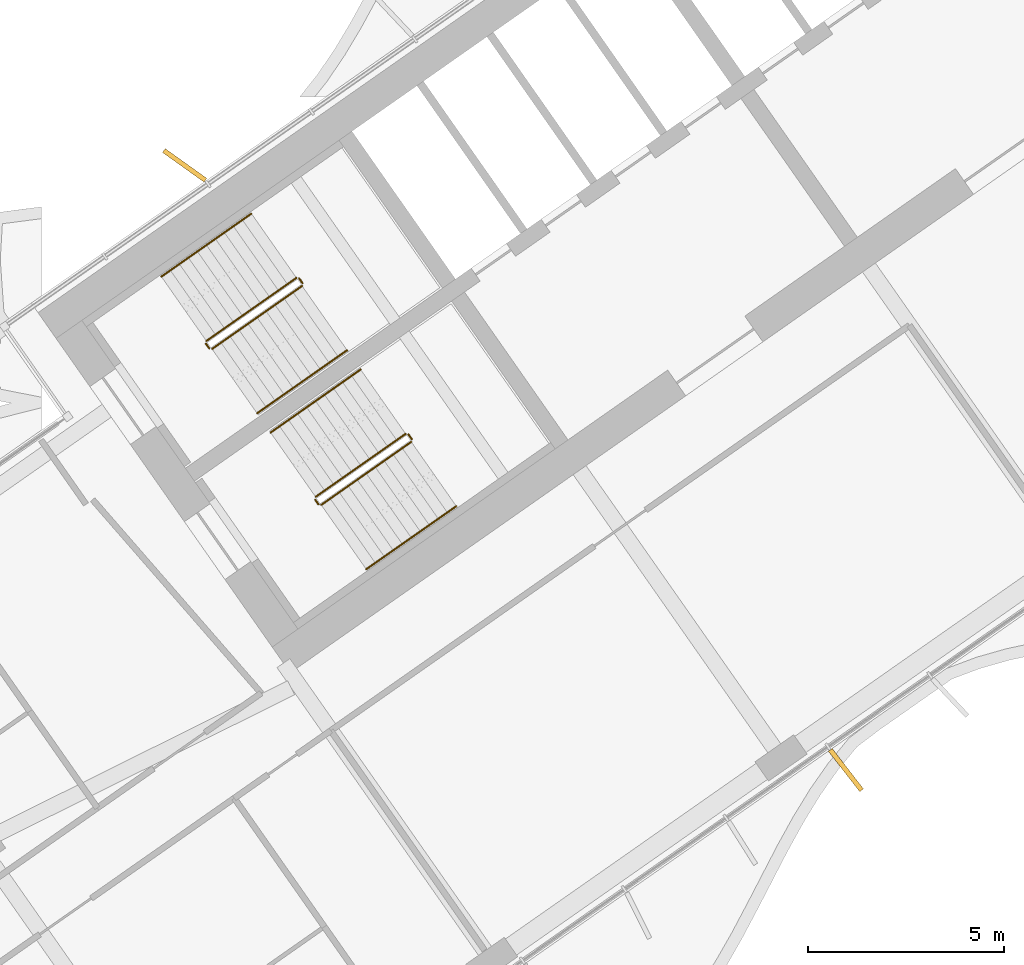
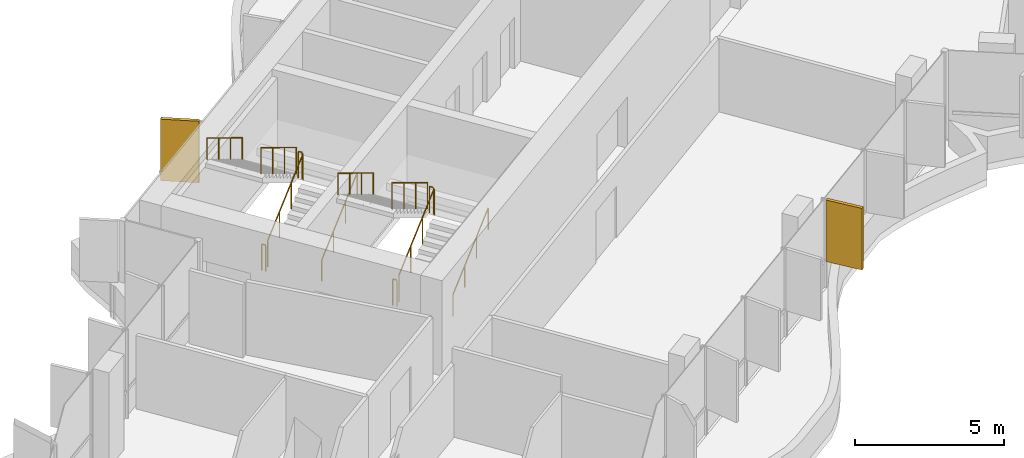
# One storey, part 18 of 22: 12 railings, 2 shading devices.
"""IFC4 building model written with IfcOpenShell, lengths in metres."""

import ifcopenshell
import ifcopenshell.guid

model = None  # the IFC model being written
_history = None  # IfcOwnerHistory: only IFC2X3 demands one
_inside = {}  # id of a spatial element -> (the spatial element, [elements in it])
_under = {}  # id of a project, library or spatial element -> (it, [spatial elements below it])
_declared = {}  # id of a project -> (the project, [libraries it declares])
_typed = {}  # id of a type object -> (the type object, [elements of that type])
_made_of = {}  # id of a material, layer set ... -> (it, [elements and type objects made of it])


def new_model(schema):
    """Start an empty IFC model of exactly this schema.

    Asked for "IFC4X3", IfcOpenShell would pick the latest addendum, in which some entities
    have other attributes; the version numbers below select the first issue.
    IFC2X3 requires an IfcOwnerHistory on every rooted entity: one is made here for all.
    """
    global model, _history
    if schema == "IFC4X3":
        model = ifcopenshell.file(schema_version=(4, 3, 0, 0))
    else:
        model = ifcopenshell.file(schema=schema)
    _inside.clear()
    _under.clear()
    _declared.clear()
    _typed.clear()
    _made_of.clear()
    _history = None
    if model.schema == "IFC2X3":
        org = make("IfcOrganization", Name="unknown")
        user = make(
            "IfcPersonAndOrganization",
            ThePerson=make("IfcPerson", FamilyName="unknown"),
            TheOrganization=org,
        )
        app = make(
            "IfcApplication",
            ApplicationDeveloper=org,
            Version="unknown",
            ApplicationFullName="unknown",
            ApplicationIdentifier="unknown",
        )
        _history = make(
            "IfcOwnerHistory",
            OwningUser=user,
            OwningApplication=app,
            ChangeAction="ADDED",
            CreationDate=0,
        )
    return model


def make(cls, **values):
    """One entity of the class cls with the attributes given. An attribute that is None is left unset."""
    return model.create_entity(
        cls, **{name: value for name, value in values.items() if value is not None}
    )


def rooted(cls, **values):
    """An entity with a GlobalId (a new one), such as an element, a storey or a relation."""
    return make(cls, GlobalId=ifcopenshell.guid.new(), OwnerHistory=_history, **values)


def si_unit(unit_type, name, prefix=None):
    """IfcSIUnit, for example si_unit("LENGTHUNIT", "METRE", prefix="MILLI")."""
    return make("IfcSIUnit", UnitType=unit_type, Prefix=prefix, Name=name)


def assignment(units):
    """IfcUnitAssignment: the units of a project."""
    return None if units is None else make("IfcUnitAssignment", Units=units)


def point(xyz):
    """IfcCartesianPoint."""
    return None if xyz is None else make("IfcCartesianPoint", Coordinates=xyz)


def direction(xyz):
    """IfcDirection."""
    return None if xyz is None else make("IfcDirection", DirectionRatios=xyz)


def frame(location, z_axis=None, x_axis=None):
    """IfcAxis2Placement3D, a coordinate frame: its origin and axes. An axis left out is left unset."""
    return make(
        "IfcAxis2Placement3D",
        Location=point(location),
        Axis=direction(z_axis),
        RefDirection=direction(x_axis),
    )


def frame_2d(location, x_axis=None):
    """IfcAxis2Placement2D, a coordinate frame in the plane: its origin and x axis."""
    return make(
        "IfcAxis2Placement2D", Location=point(location), RefDirection=direction(x_axis)
    )


def origin():
    """The frame at (0, 0, 0) with its axes left unset."""
    return frame((0.0, 0.0, 0.0))


def origin_2d():
    """The frame at (0, 0) in the plane with its x axis left unset."""
    return frame_2d((0.0, 0.0))


def place(relative_to, where):
    """IfcLocalPlacement: puts the frame where relative to a parent placement (None: the world)."""
    return make(
        "IfcLocalPlacement", PlacementRelTo=relative_to, RelativePlacement=where
    )


def context(
    kind, dimensions, precision=None, world=None, true_north=None, identifier=None
):
    """IfcGeometricRepresentationContext, for example the 3D "Model" context."""
    return make(
        "IfcGeometricRepresentationContext",
        ContextIdentifier=identifier,
        ContextType=kind,
        CoordinateSpaceDimension=dimensions,
        Precision=precision,
        WorldCoordinateSystem=world,
        TrueNorth=true_north,
    )


def subcontext(parent, identifier, kind, view, scale=None):
    """IfcGeometricRepresentationSubContext, for example "Body" below "Model"."""
    return make(
        "IfcGeometricRepresentationSubContext",
        ContextIdentifier=identifier,
        ContextType=kind,
        ParentContext=parent,
        TargetScale=scale,
        TargetView=view,
    )


def project(units=None, contexts=None):
    """IfcProject with its units and contexts."""
    return rooted(
        "IfcProject",
        Name="project",
        RepresentationContexts=contexts,
        UnitsInContext=assignment(units),
    )


def spatial(cls, under=None, at=None, **own):
    """A site, building, storey or space (cls), placed at a placement, below another one or the project."""
    s = rooted(cls, ObjectPlacement=at, **own)
    if under is not None:
        _under.setdefault(under.id(), (under, []))[1].append(s)
    return s


def profile(cls, at=None, kind="AREA", **sizes):
    """A parametric profile (cls). Its sizes go by their IFC names, for example OverallWidth=200.0."""
    return make(cls, ProfileType=kind, Position=at, **sizes)


def rectangle(**sizes):
    """IfcRectangleProfileDef."""
    return profile("IfcRectangleProfileDef", **sizes)


def circle(**sizes):
    """IfcCircleProfileDef."""
    return profile("IfcCircleProfileDef", **sizes)


def extrude(swept, where, along, depth):
    """IfcExtrudedAreaSolid: the profile swept, set in the frame where, extruded along a direction by depth."""
    return make(
        "IfcExtrudedAreaSolid",
        SweptArea=swept,
        Position=where,
        ExtrudedDirection=direction(along),
        Depth=depth,
    )


def shape(context_of_items, identifier, shape_type, items):
    """IfcShapeRepresentation: the items that make up one representation, for example the "Body"."""
    return make(
        "IfcShapeRepresentation",
        ContextOfItems=context_of_items,
        RepresentationIdentifier=identifier,
        RepresentationType=shape_type,
        Items=items,
    )


def material(Name=None, Category=None):
    """IfcMaterial."""
    return make("IfcMaterial", Name=Name, Category=Category)


def layer(
    of_material, thickness, ventilated=None, Name=None, Category=None, Priority=None
):
    """IfcMaterialLayer: one layer of a wall or slab, of a material (None: an air gap)."""
    return make(
        "IfcMaterialLayer",
        Material=of_material,
        LayerThickness=thickness,
        IsVentilated=ventilated,
        Name=Name,
        Category=Category,
        Priority=Priority,
    )


def layer_set(layers, Name=None):
    """IfcMaterialLayerSet."""
    return make("IfcMaterialLayerSet", MaterialLayers=layers, LayerSetName=Name)


def made_of(thing, what):
    """Note that an element or type object is made of a material, layer set ...; save() writes the relation."""
    if what is not None:
        _made_of.setdefault(what.id(), (what, []))[1].append(thing)
    return thing


def type_object(cls, material=None, **own):
    """A type object (cls), such as IfcWallType, which elements share."""
    return made_of(rooted(cls, **own), material)


def element(
    cls,
    number,
    at=None,
    inside=None,
    cuts=None,
    type_object=None,
    material=None,
    context=None,
    identifier="Body",
    shape_type=None,
    held_by="IfcProductDefinitionShape",
    body=None,
    shapes=None,
    **own,
):
    """One element of the class cls, such as IfcWall. Its Tag is "e" and its number.

    at: its placement. inside: the storey or other place that contains it. cuts: it is an
    opening in that element (IfcRelVoidsElement). A single representation is given by context,
    identifier, shape_type and body (its items); several are given by shapes. held_by: the class
    of the entity that holds the representations. save() writes the other relations.
    """
    e = rooted(cls, Tag="e%d" % number, ObjectPlacement=at, **own)
    if body is not None:
        shapes = [shape(context, identifier, shape_type, body)]
    if shapes is not None:
        e.Representation = make(held_by, Representations=shapes)
    if inside is not None:
        _inside.setdefault(inside.id(), (inside, []))[1].append(e)
    if cuts is not None:
        rooted(
            "IfcRelVoidsElement", RelatingBuildingElement=cuts, RelatedOpeningElement=e
        )
    if type_object is not None:
        _typed.setdefault(type_object.id(), (type_object, []))[1].append(e)
    return made_of(e, material)


def aggregate(whole, parts):
    """IfcRelAggregates: a whole, such as a stair, and the parts it consists of."""
    return rooted("IfcRelAggregates", RelatingObject=whole, RelatedObjects=parts)


def save(model, path):
    """Write the relations noted so far, then the file.

    IfcRelAggregates (storeys below a building ...), IfcRelContainedInSpatialStructure (elements
    in a storey), IfcRelDefinesByType, IfcRelAssociatesMaterial and IfcRelDeclares: one each for
    every whole, place, type object, material and project.
    """
    for whole, parts in _under.values():
        aggregate(whole, parts)
    for where, things in _inside.values():
        rooted(
            "IfcRelContainedInSpatialStructure",
            RelatedElements=things,
            RelatingStructure=where,
        )
    for kind, things in _typed.values():
        rooted("IfcRelDefinesByType", RelatedObjects=things, RelatingType=kind)
    for what, things in _made_of.values():
        rooted("IfcRelAssociatesMaterial", RelatedObjects=things, RelatingMaterial=what)
    for by, libraries in _declared.values():
        rooted("IfcRelDeclares", RelatingContext=by, RelatedDefinitions=libraries)
    model.write(path)


model = new_model("IFC4")

# Units and contexts
model_context = context("Model", 3, precision=1e-05, world=origin(), true_north=direction((0.0, 1.0)))
body_context = subcontext(model_context, "Body", "Model", "MODEL_VIEW")
ifc_project = project(units=[si_unit("LENGTHUNIT", "METRE"), si_unit("AREAUNIT", "SQUARE_METRE"), si_unit("VOLUMEUNIT", "CUBIC_METRE"), si_unit("PLANEANGLEUNIT", "RADIAN"), si_unit("MASSUNIT", "GRAM", prefix="KILO")], contexts=[model_context])

# Site, building, storey
site_placement = place(None, origin())
site = spatial("IfcSite", under=ifc_project, at=site_placement, CompositionType="ELEMENT")
building_placement = place(site_placement, origin())
building = spatial("IfcBuilding", under=site, at=building_placement, Name="Tel Ilan Convention Tower", CompositionType="ELEMENT")
storey_placement = place(building_placement, frame((0.0, 0.0, 135.89990234375)))
storey = spatial("IfcBuildingStorey", under=building, at=storey_placement, Name="L30", CompositionType="ELEMENT", Elevation=135.89990234375)

# Shading devices
ifc_material_1 = material(Name="Aluminium, bronze anodised", Category="aluminium")
ifc_layer = layer(ifc_material_1, 0.1201171875)
ifc_layer_set = layer_set([ifc_layer], Name="FIN BRONZE 1300x120")
shading_device_type = type_object("IfcShadingDeviceType", Name="FIN BRONZE 1300x120", PredefinedType="USERDEFINED", material=ifc_layer_set)
for number, where, z_axis, x_axis, name in (
    (1, (-24.233642578125, -3.37841796875, 1.10009765625), (0.0, 0.0, 1.0), (-0.813552070258, 0.581492071294, 0.0), "FIN"),
    (2, (-7.385498046875, -18.78515625, 1.10009765625), (0.0, 0.0, 1.0), (0.612600545196, -0.790392669516, 0.0), "FIN"),
):
    element("IfcShadingDevice", number, at=place(storey_placement, frame(where, z_axis=z_axis, x_axis=x_axis)), inside=storey, type_object=shading_device_type, Name=name, ObjectType="FIN", PredefinedType="USERDEFINED", context=body_context, shape_type="SweptSolid", body=[
        extrude(rectangle(XDim=1.300048828125, YDim=0.1201171875, at=origin_2d()), origin(), (0.0, 0.0, 1.0), 2.52001953125),
    ])

# Railings
ifc_material_2 = material(Name="Stainless Steel Grade 316", Category="steel")
railing_type_1 = type_object("IfcRailingType", Name="Stainless Steel Stair Guard 1100 mm", PredefinedType="GUARDRAIL", material=ifc_material_2)
railing_1_placement = place(storey_placement, frame((-23.535400390625, -8.056396484375, 0.177490234375)))
element("IfcRailing", 3, at=railing_1_placement, inside=storey, type_object=railing_type_1, Name="L30 S1 stair guard 1", PredefinedType="GUARDRAIL", context=body_context, shape_type="SweptSolid", body=[
    extrude(circle(Radius=0.02392578125, at=origin_2d()), frame((0.0, 0.0, 1.076171875), z_axis=(0.692098378994, 0.484653031975, 0.534893701956), x_axis=(-0.573608623498, 0.819129505664, 0.0)), (0.0, 0.0, 1.0), 3.314208984375),
    extrude(circle(Radius=0.02099609375, at=origin_2d()), origin(), (0.0, 0.0, 1.0), 1.052001953125),
    extrude(circle(Radius=0.02099609375, at=origin_2d()), frame((0.7646484375, 0.535400390625, 0.5908203125)), (0.0, 0.0, 1.0), 1.052001953125),
    extrude(circle(Radius=0.02099609375, at=origin_2d()), frame((1.529052734375, 1.07080078125, 1.181884765625)), (0.0, 0.0, 1.0), 1.052001953125),
    extrude(circle(Radius=0.02099609375, at=origin_2d()), frame((2.293701171875, 1.606201171875, 1.772705078125)), (0.0, 0.0, 1.0), 1.052001953125),
])
railing_2_placement = place(storey_placement, frame((-21.2294921875, -6.380615234375, 1.9501953125)))
element("IfcRailing", 4, at=railing_2_placement, inside=storey, type_object=railing_type_1, Name="L30 S1 stair guard 2", PredefinedType="GUARDRAIL", context=body_context, shape_type="SweptSolid", body=[
    extrude(circle(Radius=0.02392578125, at=origin_2d()), frame((0.0, 0.0, 1.076171875), z_axis=(-0.573353020881, 0.819308436089, 0.0), x_axis=(-0.819308436089, -0.573353020881, 0.0)), (0.0, 0.0, 1.0), 0.14990234375),
    extrude(circle(Radius=0.02099609375, at=origin_2d()), origin(), (0.0, 0.0, 1.0), 1.052001953125),
    extrude(circle(Radius=0.02099609375, at=origin_2d()), frame((-0.0859375, 0.122802734375, 0.0)), (0.0, 0.0, 1.0), 1.052001953125),
])
railing_3_placement = place(storey_placement, frame((-21.38525390625, -6.24560546875, 2.12744140625)))
element("IfcRailing", 5, at=railing_3_placement, inside=storey, type_object=railing_type_1, Name="L30 S1 stair guard 3", PredefinedType="GUARDRAIL", context=body_context, shape_type="SweptSolid", body=[
    extrude(circle(Radius=0.02392578125, at=origin_2d()), frame((0.0, 0.0, 1.076171875), z_axis=(-0.692084706163, -0.484621375041, 0.534940073605), x_axis=(0.573591086599, -0.819141785879, 0.0)), (0.0, 0.0, 1.0), 3.313720703125),
    extrude(circle(Radius=0.02099609375, at=origin_2d()), origin(), (0.0, 0.0, 1.0), 1.052001953125),
    extrude(circle(Radius=0.02099609375, at=origin_2d()), frame((-0.764404296875, -0.535400390625, 0.5908203125)), (0.0, 0.0, 1.0), 1.052001953125),
    extrude(circle(Radius=0.02099609375, at=origin_2d()), frame((-1.529052734375, -1.070556640625, 1.181884765625)), (0.0, 0.0, 1.0), 1.052001953125),
    extrude(circle(Radius=0.02099609375, at=origin_2d()), frame((-2.29345703125, -1.60595703125, 1.772705078125)), (0.0, 0.0, 1.0), 1.052001953125),
])
railing_4_placement = place(storey_placement, frame((-23.60498046875, -8.0439453125, 0.0)))
element("IfcRailing", 6, at=railing_4_placement, inside=storey, type_object=railing_type_1, Name="L30 S1 stair guard 4", PredefinedType="GUARDRAIL", context=body_context, shape_type="SweptSolid", body=[
    extrude(circle(Radius=0.02392578125, at=origin_2d()), frame((0.0, 0.0, 1.076171875), z_axis=(-0.574444878118, 0.818543268254, 0.0), x_axis=(-0.818543268254, -0.574444878118, 0.0)), (0.0, 0.0, 1.0), 0.150146484375),
    extrude(circle(Radius=0.02099609375, at=origin_2d()), origin(), (0.0, 0.0, 1.0), 1.052001953125),
    extrude(circle(Radius=0.02099609375, at=origin_2d()), frame((-0.086181640625, 0.122802734375, 0.0)), (0.0, 0.0, 1.0), 1.052001953125),
])
railing_5_placement = place(storey_placement, frame((-20.753662109375, -12.029296875, 0.177490234375)))
element("IfcRailing", 7, at=railing_5_placement, inside=storey, type_object=railing_type_1, Name="L30 S2 stair guard 1", PredefinedType="GUARDRAIL", context=body_context, shape_type="SweptSolid", body=[
    extrude(circle(Radius=0.02392578125, at=origin_2d()), frame((0.0, 0.0, 1.076171875), z_axis=(0.692098378994, 0.484653031975, 0.534893701956), x_axis=(-0.573608623498, 0.819129505664, 0.0)), (0.0, 0.0, 1.0), 3.314208984375),
    extrude(circle(Radius=0.02099609375, at=origin_2d()), origin(), (0.0, 0.0, 1.0), 1.052001953125),
    extrude(circle(Radius=0.02099609375, at=origin_2d()), frame((0.7646484375, 0.535400390625, 0.5908203125)), (0.0, 0.0, 1.0), 1.052001953125),
    extrude(circle(Radius=0.02099609375, at=origin_2d()), frame((1.529052734375, 1.07080078125, 1.181884765625)), (0.0, 0.0, 1.0), 1.052001953125),
    extrude(circle(Radius=0.02099609375, at=origin_2d()), frame((2.293701171875, 1.606201171875, 1.772705078125)), (0.0, 0.0, 1.0), 1.052001953125),
])
railing_6_placement = place(storey_placement, frame((-18.44775390625, -10.353515625, 1.9501953125)))
element("IfcRailing", 8, at=railing_6_placement, inside=storey, type_object=railing_type_1, Name="L30 S2 stair guard 2", PredefinedType="GUARDRAIL", context=body_context, shape_type="SweptSolid", body=[
    extrude(circle(Radius=0.02392578125, at=origin_2d()), frame((0.0, 0.0, 1.076171875), z_axis=(-0.573353020881, 0.819308436089, 0.0), x_axis=(-0.819308436089, -0.573353020881, 0.0)), (0.0, 0.0, 1.0), 0.14990234375),
    extrude(circle(Radius=0.02099609375, at=origin_2d()), origin(), (0.0, 0.0, 1.0), 1.052001953125),
    extrude(circle(Radius=0.02099609375, at=origin_2d()), frame((-0.0859375, 0.122802734375, 0.0)), (0.0, 0.0, 1.0), 1.052001953125),
])
railing_7_placement = place(storey_placement, frame((-18.603271484375, -10.218505859375, 2.12744140625)))
element("IfcRailing", 9, at=railing_7_placement, inside=storey, type_object=railing_type_1, Name="L30 S2 stair guard 3", PredefinedType="GUARDRAIL", context=body_context, shape_type="SweptSolid", body=[
    extrude(circle(Radius=0.02392578125, at=origin_2d()), frame((0.0, 0.0, 1.076171875), z_axis=(-0.692123088272, -0.484596665743, 0.534912798717), x_axis=(0.573550118428, -0.819170471667, 0.0)), (0.0, 0.0, 1.0), 3.31396484375),
    extrude(circle(Radius=0.02099609375, at=origin_2d()), origin(), (0.0, 0.0, 1.0), 1.052001953125),
    extrude(circle(Radius=0.02099609375, at=origin_2d()), frame((-0.7646484375, -0.535400390625, 0.5908203125)), (0.0, 0.0, 1.0), 1.052001953125),
    extrude(circle(Radius=0.02099609375, at=origin_2d()), frame((-1.529052734375, -1.070556640625, 1.181884765625)), (0.0, 0.0, 1.0), 1.052001953125),
    extrude(circle(Radius=0.02099609375, at=origin_2d()), frame((-2.293701171875, -1.60595703125, 1.772705078125)), (0.0, 0.0, 1.0), 1.052001953125),
])
railing_8_placement = place(storey_placement, frame((-20.8232421875, -12.016845703125, 0.0)))
element("IfcRailing", 10, at=railing_8_placement, inside=storey, type_object=railing_type_1, Name="L30 S2 stair guard 4", PredefinedType="GUARDRAIL", context=body_context, shape_type="SweptSolid", body=[
    extrude(circle(Radius=0.02392578125, at=origin_2d()), frame((0.0, 0.0, 1.076171875), z_axis=(-0.573353020881, 0.819308436089, 0.0), x_axis=(-0.819308436089, -0.573353020881, 0.0)), (0.0, 0.0, 1.0), 0.14990234375),
    extrude(circle(Radius=0.02099609375, at=origin_2d()), origin(), (0.0, 0.0, 1.0), 1.052001953125),
    extrude(circle(Radius=0.02099609375, at=origin_2d()), frame((-0.0859375, 0.122802734375, 0.0)), (0.0, 0.0, 1.0), 1.052001953125),
])
ifc_material_3 = material(Name="Stainless Steel Grade 316", Category="steel")
railing_type_2 = type_object("IfcRailingType", Name="Stainless Steel Stair Handrail 900 mm", PredefinedType="HANDRAIL", material=ifc_material_3)
railing_9_placement = place(storey_placement, frame((-22.38818359375, -9.694580078125, 0.177490234375)))
element("IfcRailing", 11, at=railing_9_placement, inside=storey, type_object=railing_type_2, Name="L30 S1 stair handrail 1", PredefinedType="HANDRAIL", context=body_context, shape_type="SweptSolid", body=[
    extrude(circle(Radius=0.02392578125, at=origin_2d()), frame((0.0, 0.0, 0.8759765625), z_axis=(0.692084706163, 0.484621375041, 0.534940073605), x_axis=(-0.573591086599, 0.819141785879, 0.0)), (0.0, 0.0, 1.0), 3.313720703125),
    extrude(circle(Radius=0.02099609375, at=origin_2d()), origin(), (0.0, 0.0, 1.0), 0.851806640625),
    extrude(circle(Radius=0.02099609375, at=origin_2d()), frame((0.764404296875, 0.535400390625, 0.5908203125)), (0.0, 0.0, 1.0), 0.851806640625),
    extrude(circle(Radius=0.02099609375, at=origin_2d()), frame((1.529052734375, 1.070556640625, 1.181884765625)), (0.0, 0.0, 1.0), 0.851806640625),
    extrude(circle(Radius=0.02099609375, at=origin_2d()), frame((2.29345703125, 1.60595703125, 1.772705078125)), (0.0, 0.0, 1.0), 0.851806640625),
])
railing_10_placement = place(storey_placement, frame((-22.5322265625, -4.607177734375, 2.12744140625)))
element("IfcRailing", 12, at=railing_10_placement, inside=storey, type_object=railing_type_2, Name="L30 S1 stair handrail 2", PredefinedType="HANDRAIL", context=body_context, shape_type="SweptSolid", body=[
    extrude(circle(Radius=0.02392578125, at=origin_2d()), frame((0.0, 0.0, 0.8759765625), z_axis=(-0.692123088272, -0.484596665743, 0.534912798717), x_axis=(0.573550118428, -0.819170471667, 0.0)), (0.0, 0.0, 1.0), 3.31396484375),
    extrude(circle(Radius=0.02099609375, at=origin_2d()), origin(), (0.0, 0.0, 1.0), 0.851806640625),
    extrude(circle(Radius=0.02099609375, at=origin_2d()), frame((-0.7646484375, -0.535400390625, 0.5908203125)), (0.0, 0.0, 1.0), 0.851806640625),
    extrude(circle(Radius=0.02099609375, at=origin_2d()), frame((-1.529052734375, -1.070556640625, 1.181884765625)), (0.0, 0.0, 1.0), 0.851806640625),
    extrude(circle(Radius=0.02099609375, at=origin_2d()), frame((-2.293701171875, -1.60595703125, 1.772705078125)), (0.0, 0.0, 1.0), 0.851806640625),
])
railing_11_placement = place(storey_placement, frame((-19.6064453125, -13.66748046875, 0.177490234375)))
element("IfcRailing", 13, at=railing_11_placement, inside=storey, type_object=railing_type_2, Name="L30 S2 stair handrail 1", PredefinedType="HANDRAIL", context=body_context, shape_type="SweptSolid", body=[
    extrude(circle(Radius=0.02392578125, at=origin_2d()), frame((0.0, 0.0, 0.8759765625), z_axis=(0.692123088272, 0.484596665743, 0.534912798717), x_axis=(-0.573550118428, 0.819170471667, 0.0)), (0.0, 0.0, 1.0), 3.31396484375),
    extrude(circle(Radius=0.02099609375, at=origin_2d()), origin(), (0.0, 0.0, 1.0), 0.851806640625),
    extrude(circle(Radius=0.02099609375, at=origin_2d()), frame((0.7646484375, 0.535400390625, 0.5908203125)), (0.0, 0.0, 1.0), 0.851806640625),
    extrude(circle(Radius=0.02099609375, at=origin_2d()), frame((1.529052734375, 1.070556640625, 1.181884765625)), (0.0, 0.0, 1.0), 0.851806640625),
    extrude(circle(Radius=0.02099609375, at=origin_2d()), frame((2.293701171875, 1.60595703125, 1.772705078125)), (0.0, 0.0, 1.0), 0.851806640625),
])
railing_12_placement = place(storey_placement, frame((-19.75048828125, -8.580078125, 2.12744140625)))
element("IfcRailing", 14, at=railing_12_placement, inside=storey, type_object=railing_type_2, Name="L30 S2 stair handrail 2", PredefinedType="HANDRAIL", context=body_context, shape_type="SweptSolid", body=[
    extrude(circle(Radius=0.02392578125, at=origin_2d()), frame((0.0, 0.0, 0.8759765625), z_axis=(-0.692123088272, -0.484596665743, 0.534912798717), x_axis=(0.573550118428, -0.819170471667, 0.0)), (0.0, 0.0, 1.0), 3.31396484375),
    extrude(circle(Radius=0.02099609375, at=origin_2d()), origin(), (0.0, 0.0, 1.0), 0.851806640625),
    extrude(circle(Radius=0.02099609375, at=origin_2d()), frame((-0.7646484375, -0.535400390625, 0.5908203125)), (0.0, 0.0, 1.0), 0.851806640625),
    extrude(circle(Radius=0.02099609375, at=origin_2d()), frame((-1.529052734375, -1.070556640625, 1.181884765625)), (0.0, 0.0, 1.0), 0.851806640625),
    extrude(circle(Radius=0.02099609375, at=origin_2d()), frame((-2.293701171875, -1.60595703125, 1.772705078125)), (0.0, 0.0, 1.0), 0.851806640625),
])

save(model, "model.ifc")
